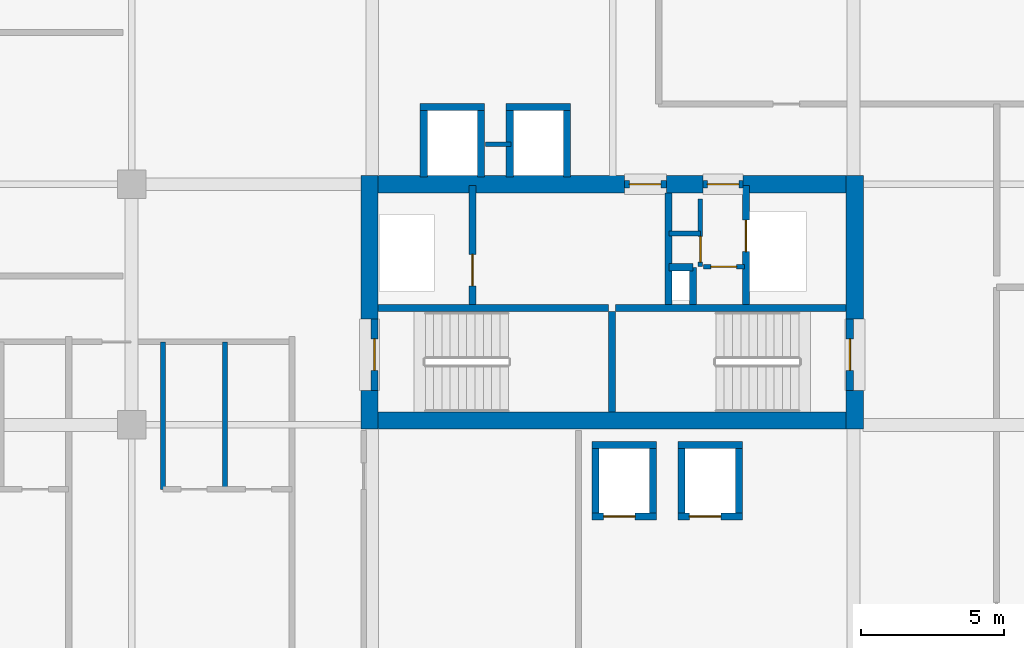
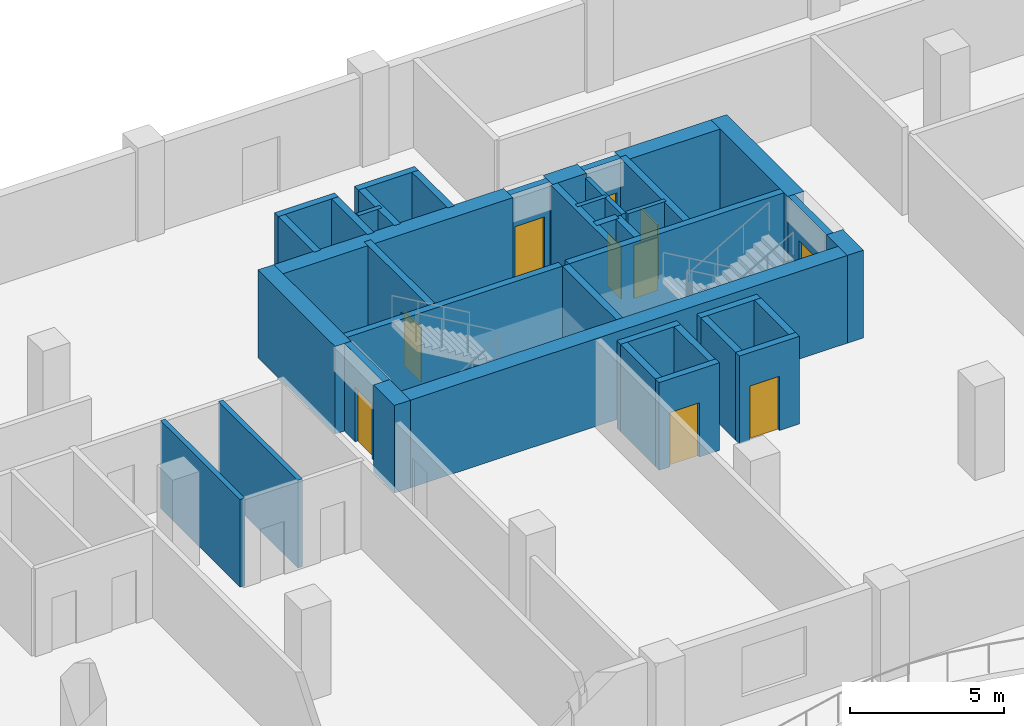
# One storey, part 8 of 18: 40 walls, 10 doors, 10 openings.
"""IFC4 building model written with IfcOpenShell, lengths in metres."""

from ifc_helpers import new_model, si_unit, direction, frame, frame_2d, origin, place, context, subcontext, project, spatial, rectangle, extrude, material, layer, layer_set, type_object, element, fill, save


model = new_model("IFC4")

# Units and contexts
model_context = context("Model", 3, precision=1e-05, world=origin(), true_north=direction((0.0, 1.0)))
body_context = subcontext(model_context, "Body", "Model", "MODEL_VIEW")
ifc_project = project(units=[si_unit("LENGTHUNIT", "METRE"), si_unit("AREAUNIT", "SQUARE_METRE"), si_unit("VOLUMEUNIT", "CUBIC_METRE"), si_unit("PLANEANGLEUNIT", "RADIAN"), si_unit("MASSUNIT", "GRAM", prefix="KILO")], contexts=[model_context])

# Site, building, storey
site_placement = place(None, origin())
site = spatial("IfcSite", under=ifc_project, at=site_placement, CompositionType="ELEMENT")
building_placement = place(site_placement, origin())
building = spatial("IfcBuilding", under=site, at=building_placement, Name="Koriwani Terraces Tower", CompositionType="ELEMENT")
storey_placement = place(building_placement, frame((0.0, 0.0, 205.0)))
storey = spatial("IfcBuildingStorey", under=building, at=storey_placement, Name="L50", CompositionType="ELEMENT", Elevation=205.0)

# Walls
ifc_material_1 = material(Name="Concrete C60/75", Category="concrete")
ifc_layer_1 = layer(ifc_material_1, 0.60009765625, Name="Concrete C60/75")
ifc_layer_set_1 = layer_set([ifc_layer_1], Name="Concrete C60/75")
wall_type_1 = type_object("IfcWallType", Name="WALL_CORE_RC_600", PredefinedType="SHEAR", material=ifc_layer_set_1)
wall_1_placement = place(storey_placement, frame((41.89990234375, 16.64990234375, 0.0), z_axis=(0.0, 0.0, 1.0), x_axis=(0.0, 1.0, 0.0)))
element("IfcWall", 1, at=wall_1_placement, inside=storey, type_object=wall_type_1, Name="L50 East Split Core Shear Wall W1", PredefinedType="SHEAR", context=body_context, shape_type="SweptSolid", body=[
    extrude(rectangle(XDim=1.35009765625, YDim=0.60009765625, at=frame_2d((0.675048828125, 0.0))), origin(), (0.0, 0.0, 1.0), 3.469970703125),
])
wall_2_placement = place(storey_placement, frame((41.89990234375, 20.5, 0.0), z_axis=(0.0, 0.0, 1.0), x_axis=(0.0, 1.0, 0.0)))
element("IfcWall", 2, at=wall_2_placement, inside=storey, type_object=wall_type_1, Name="L50 East Split Core Shear Wall W2", PredefinedType="SHEAR", context=body_context, shape_type="SweptSolid", body=[
    extrude(rectangle(XDim=5.0, YDim=0.60009765625, at=frame_2d((2.5, 0.0))), origin(), (0.0, 0.0, 1.0), 3.469970703125),
])
wall_3_placement = place(storey_placement, frame((58.85009765625, 16.64990234375, 0.0), z_axis=(0.0, 0.0, 1.0), x_axis=(0.0, 1.0, 0.0)))
element("IfcWall", 3, at=wall_3_placement, inside=storey, type_object=wall_type_1, Name="L50 East Split Core Shear Wall E1", PredefinedType="SHEAR", context=body_context, shape_type="SweptSolid", body=[
    extrude(rectangle(XDim=1.35009765625, YDim=0.60009765625, at=frame_2d((0.675048828125, 0.0))), origin(), (0.0, 0.0, 1.0), 3.469970703125),
])
wall_4_placement = place(storey_placement, frame((58.85009765625, 20.5, 0.0), z_axis=(0.0, 0.0, 1.0), x_axis=(0.0, 1.0, 0.0)))
element("IfcWall", 4, at=wall_4_placement, inside=storey, type_object=wall_type_1, Name="L50 East Split Core Shear Wall E2", PredefinedType="SHEAR", context=body_context, shape_type="SweptSolid", body=[
    extrude(rectangle(XDim=5.0, YDim=0.60009765625, at=frame_2d((2.5, 0.0))), origin(), (0.0, 0.0, 1.0), 3.469970703125),
])
wall_5_placement = place(storey_placement, frame((42.199951171875, 16.949951171875, 0.0), z_axis=(0.0, 0.0, 1.0), x_axis=(1.0, 0.0, 0.0)))
element("IfcWall", 5, at=wall_5_placement, inside=storey, type_object=wall_type_1, Name="L50 East Split Core Shear Wall S1", PredefinedType="SHEAR", context=body_context, shape_type="SweptSolid", body=[
    extrude(rectangle(XDim=16.35009765625, YDim=0.60009765625, at=frame_2d((8.175048828125, 0.0))), origin(), (0.0, 0.0, 1.0), 3.469970703125),
])
wall_6_placement = place(storey_placement, frame((42.199951171875, 25.199951171875, 0.0), z_axis=(0.0, 0.0, 1.0), x_axis=(1.0, 0.0, 0.0)))
element("IfcWall", 6, at=wall_6_placement, inside=storey, type_object=wall_type_1, Name="L50 East Split Core Shear Wall N1", PredefinedType="SHEAR", context=body_context, shape_type="SweptSolid", body=[
    extrude(rectangle(XDim=8.60009765625, YDim=0.60009765625, at=frame_2d((4.300048828125, 0.0))), origin(), (0.0, 0.0, 1.0), 3.469970703125),
])
wall_7_placement = place(storey_placement, frame((52.280029296875, 25.199951171875, 0.0), z_axis=(0.0, 0.0, 1.0), x_axis=(1.0, 0.0, 0.0)))
element("IfcWall", 7, at=wall_7_placement, inside=storey, type_object=wall_type_1, Name="L50 East Split Core Shear Wall N2", PredefinedType="SHEAR", context=body_context, shape_type="SweptSolid", body=[
    extrude(rectangle(XDim=1.27001953125, YDim=0.60009765625, at=frame_2d((0.635009765625, 0.0))), origin(), (0.0, 0.0, 1.0), 3.469970703125),
])
wall_8_placement = place(storey_placement, frame((54.949951171875, 25.199951171875, 0.0), z_axis=(0.0, 0.0, 1.0), x_axis=(1.0, 0.0, 0.0)))
element("IfcWall", 8, at=wall_8_placement, inside=storey, type_object=wall_type_1, Name="L50 East Split Core Shear Wall N3", PredefinedType="SHEAR", context=body_context, shape_type="SweptSolid", body=[
    extrude(rectangle(XDim=3.60009765625, YDim=0.60009765625, at=frame_2d((1.800048828125, 0.0))), origin(), (0.0, 0.0, 1.0), 3.469970703125),
])
ifc_material_2 = material(Name="Fire-Rated Acoustic Gypsum Partition", Category="masonry")
ifc_layer_2 = layer(ifc_material_2, 0.179931640625, Name="Fire-Rated Acoustic Gypsum Partition")
ifc_layer_set_2 = layer_set([ifc_layer_2], Name="Fire-Rated Acoustic Gypsum Partition")
wall_type_2 = type_object("IfcWallType", Name="WALL_PLUMBING_180", PredefinedType="PLUMBINGWALL", material=ifc_layer_set_2)
for number, where, z_axis, x_axis, name in (
    (9, (34.699951171875, 14.550048828125, 0.0), (0.0, 0.0, 1.0), (0.0, 1.0, 0.0), "L50 Interior Wall WRSVCS-L50-SW-3"),
    (10, (36.860107421875, 14.550048828125, 0.0), (0.0, 0.0, 1.0), (0.0, 1.0, 0.0), "L50 Interior Wall WRSVCM-L50-SW-3"),
):
    element("IfcWall", number, at=place(storey_placement, frame(where, z_axis=z_axis, x_axis=x_axis)), inside=storey, type_object=wall_type_2, Name=name, PredefinedType="PLUMBINGWALL", context=body_context, shape_type="SweptSolid", body=[
        extrude(rectangle(XDim=5.14990234375, YDim=0.179931640625, at=frame_2d((2.574951171875, 0.0))), origin(), (0.0, 0.0, 1.0), 3.469970703125),
    ])
ifc_material_3 = material(Name="Concrete C40/50", Category="concrete")
ifc_layer_3 = layer(ifc_material_3, 0.25, Name="Concrete C40/50")
ifc_layer_set_3 = layer_set([ifc_layer_3], Name="Concrete C40/50")
wall_type_3 = type_object("IfcWallType", Name="WALL_SHAFT_RATED_250", PredefinedType="SOLIDWALL", material=ifc_layer_set_3)
for number, where, z_axis, x_axis, name in (
    (11, (42.199951171875, 20.875, 0.0), (0.0, 0.0, 1.0), (1.0, 0.0, 0.0), "L50 East Split Core Web Wall MID1"),
    (12, (50.5, 20.875, 0.0), (0.0, 0.0, 1.0), (1.0, 0.0, 0.0), "L50 East Split Core Web Wall MID2"),
):
    element("IfcWall", number, at=place(storey_placement, frame(where, z_axis=z_axis, x_axis=x_axis)), inside=storey, type_object=wall_type_3, Name=name, PredefinedType="SOLIDWALL", context=body_context, shape_type="SweptSolid", body=[
        extrude(rectangle(XDim=8.050048828125, YDim=0.25, at=frame_2d((4.02490234375, 0.0))), origin(), (0.0, 0.0, 1.0), 3.469970703125),
    ])
wall_9_placement = place(storey_placement, frame((50.375, 17.25, 0.0), z_axis=(0.0, 0.0, 1.0), x_axis=(0.0, 1.0, 0.0)))
element("IfcWall", 13, at=wall_9_placement, inside=storey, type_object=wall_type_3, Name="L50 East Split Core Stair Dividing Wall", PredefinedType="SOLIDWALL", context=body_context, shape_type="SweptSolid", body=[
    extrude(rectangle(XDim=3.5, YDim=0.25, at=frame_2d((1.75, 0.0))), origin(), (0.0, 0.0, 1.0), 3.469970703125),
])

# Wall, opening, door
wall_10_placement = place(storey_placement, frame((42.074951171875, 18.0, 0.0), z_axis=(0.0, 0.0, 1.0), x_axis=(0.0, 1.0, 0.0)))
wall_10 = element("IfcWall", 14, at=wall_10_placement, inside=storey, type_object=wall_type_3, Name="L50 Interior Wall WIN-CE-L50-STW", PredefinedType="SOLIDWALL", context=body_context, shape_type="SweptSolid", body=[
    extrude(rectangle(XDim=2.5, YDim=0.25, at=frame_2d((1.25, 0.0))), origin(), (0.0, 0.0, 1.0), 3.469970703125),
])
opening_1_placement = place(wall_10_placement, frame((0.699951171875, 0.0, 0.0)))
opening_1 = element("IfcOpeningElement", 15, at=opening_1_placement, cuts=wall_10, Name="Opening D-03", PredefinedType="OPENING", context=body_context, shape_type="SweptSolid", body=[
    extrude(rectangle(XDim=1.10009765625, YDim=2.14990234375, at=frame_2d((0.550048828125, 1.074951171875))), frame((0.0, 0.135009765625, 0.0), z_axis=(0.0, -1.0, 0.0), x_axis=(1.0, 0.0, 0.0)), (0.0, 0.0, 1.0), 0.27001953125),
])
ifc_material_4 = material(Name="Steel ASTM A572 Grade 50", Category="steel")
door_type_1 = type_object("IfcDoorType", Name="DOOR_STAIR_FIRE_1100X2150", OperationType="NOTDEFINED", PredefinedType="DOOR", material=ifc_material_4)
door_1_placement = place(opening_1_placement, origin())
door_1 = element("IfcDoor", 16, at=door_1_placement, inside=storey, type_object=door_type_1, Name="L50 Exit Stair ST-E1 Door", OperationType="SINGLE_SWING_LEFT", OverallHeight=2.14990234375, OverallWidth=1.10009765625, PredefinedType="DOOR", context=body_context, shape_type="SweptSolid", body=[
    extrude(rectangle(XDim=1.10009765625, YDim=2.14990234375, at=frame_2d((0.550048828125, 1.074951171875))), frame((0.0, 0.02490234375, 0.0), z_axis=(0.0, -1.0, 0.0), x_axis=(1.0, 0.0, 0.0)), (0.0, 0.0, 1.0), 0.050048828125),
])
fill(opening_1, door_1)

wall_11_placement = place(storey_placement, frame((58.675048828125, 18.0, 0.0), z_axis=(0.0, 0.0, 1.0), x_axis=(0.0, 1.0, 0.0)))
wall_11 = element("IfcWall", 17, at=wall_11_placement, inside=storey, type_object=wall_type_3, Name="L50 Interior Wall WIN-CE-L50-STE", PredefinedType="SOLIDWALL", context=body_context, shape_type="SweptSolid", body=[
    extrude(rectangle(XDim=2.5, YDim=0.25, at=frame_2d((1.25, 0.0))), origin(), (0.0, 0.0, 1.0), 3.469970703125),
])
opening_2_placement = place(wall_11_placement, frame((0.699951171875, 0.0, 0.0)))
opening_2 = element("IfcOpeningElement", 18, at=opening_2_placement, cuts=wall_11, Name="Opening D-03", PredefinedType="OPENING", context=body_context, shape_type="SweptSolid", body=[
    extrude(rectangle(XDim=1.10009765625, YDim=2.14990234375, at=frame_2d((0.550048828125, 1.074951171875))), frame((0.0, 0.135009765625, 0.0), z_axis=(0.0, -1.0, 0.0), x_axis=(1.0, 0.0, 0.0)), (0.0, 0.0, 1.0), 0.27001953125),
])
door_2_placement = place(opening_2_placement, origin())
door_2 = element("IfcDoor", 19, at=door_2_placement, inside=storey, type_object=door_type_1, Name="L50 Exit Stair ST-E2 Door", OperationType="SINGLE_SWING_RIGHT", OverallHeight=2.14990234375, OverallWidth=1.10009765625, PredefinedType="DOOR", context=body_context, shape_type="SweptSolid", body=[
    extrude(rectangle(XDim=1.10009765625, YDim=2.14990234375, at=frame_2d((0.550048828125, 1.074951171875))), frame((0.0, 0.02490234375, 0.0), z_axis=(0.0, -1.0, 0.0), x_axis=(1.0, 0.0, 0.0)), (0.0, 0.0, 1.0), 0.050048828125),
])
fill(opening_2, door_2)

wall_12_placement = place(storey_placement, frame((45.5, 21.0, 0.0), z_axis=(0.0, 0.0, 1.0), x_axis=(0.0, 1.0, 0.0)))
wall_12 = element("IfcWall", 20, at=wall_12_placement, inside=storey, type_object=wall_type_3, Name="L50 Interior Wall WIN-CE-L50-FE", PredefinedType="SOLIDWALL", context=body_context, shape_type="SweptSolid", body=[
    extrude(rectangle(XDim=4.14990234375, YDim=0.25, at=frame_2d((2.074951171875, 0.0))), origin(), (0.0, 0.0, 1.0), 3.469970703125),
])
opening_3_placement = place(wall_12_placement, frame((0.64990234375, 0.0, 0.0)))
opening_3 = element("IfcOpeningElement", 21, at=opening_3_placement, cuts=wall_12, Name="Opening LD-01", PredefinedType="OPENING", context=body_context, shape_type="SweptSolid", body=[
    extrude(rectangle(XDim=1.10009765625, YDim=2.14990234375, at=frame_2d((0.550048828125, 1.074951171875))), frame((0.0, 0.135009765625, 0.0), z_axis=(0.0, -1.0, 0.0), x_axis=(1.0, 0.0, 0.0)), (0.0, 0.0, 1.0), 0.27001953125),
])
door_type_2 = type_object("IfcDoorType", Name="DOOR_LIFT_LANDING_1100X2200", OperationType="NOTDEFINED", PredefinedType="DOOR", material=ifc_material_4)
door_3_placement = place(opening_3_placement, origin())
door_3 = element("IfcDoor", 22, at=door_3_placement, inside=storey, type_object=door_type_2, Name="L50 Firefighting Lift FE-02 Landing Door", OperationType="SLIDING_TO_LEFT", OverallHeight=2.14990234375, OverallWidth=1.10009765625, PredefinedType="DOOR", context=body_context, shape_type="SweptSolid", body=[
    extrude(rectangle(XDim=1.10009765625, YDim=2.14990234375, at=frame_2d((0.550048828125, 1.074951171875))), frame((0.0, 0.02490234375, 0.0), z_axis=(0.0, -1.0, 0.0), x_axis=(1.0, 0.0, 0.0)), (0.0, 0.0, 1.0), 0.050048828125),
])
fill(opening_3, door_3)

wall_13_placement = place(storey_placement, frame((50.800048828125, 25.199951171875, 0.0), z_axis=(0.0, 0.0, 1.0), x_axis=(1.0, 0.0, 0.0)))
wall_13 = element("IfcWall", 23, at=wall_13_placement, inside=storey, type_object=wall_type_3, Name="L50 Interior Wall WIN-CE-L50-NP", PredefinedType="SOLIDWALL", context=body_context, shape_type="SweptSolid", body=[
    extrude(rectangle(XDim=1.47998046875, YDim=0.25, at=frame_2d((0.739990234375, 0.0))), origin(), (0.0, 0.0, 1.0), 3.469970703125),
])
opening_4_placement = place(wall_13_placement, frame((0.179931640625, 0.0, 0.0)))
opening_4 = element("IfcOpeningElement", 24, at=opening_4_placement, cuts=wall_13, Name="Opening D-03", PredefinedType="OPENING", context=body_context, shape_type="SweptSolid", body=[
    extrude(rectangle(XDim=1.10009765625, YDim=2.14990234375, at=frame_2d((0.550048828125, 1.074951171875))), frame((0.0, 0.135009765625, 0.0), z_axis=(0.0, -1.0, 0.0), x_axis=(1.0, 0.0, 0.0)), (0.0, 0.0, 1.0), 0.27001953125),
])
door_4_placement = place(opening_4_placement, origin())
door_4 = element("IfcDoor", 25, at=door_4_placement, inside=storey, type_object=door_type_1, Name="L50 East Firefighting Lobby Door", OperationType="SINGLE_SWING_LEFT", OverallHeight=2.14990234375, OverallWidth=1.10009765625, PredefinedType="DOOR", context=body_context, shape_type="SweptSolid", body=[
    extrude(rectangle(XDim=1.10009765625, YDim=2.14990234375, at=frame_2d((0.550048828125, 1.074951171875))), frame((0.0, 0.02490234375, 0.0), z_axis=(0.0, -1.0, 0.0), x_axis=(1.0, 0.0, 0.0)), (0.0, 0.0, 1.0), 0.050048828125),
])
fill(opening_4, door_4)

# Wall
wall_14_placement = place(storey_placement, frame((52.340087890625, 21.0, 0.0), z_axis=(0.0, 0.0, 1.0), x_axis=(0.0, 1.0, 0.0)))
element("IfcWall", 26, at=wall_14_placement, inside=storey, type_object=wall_type_3, Name="L50 Interior Wall WIN-CE-L50-FFE", PredefinedType="SOLIDWALL", context=body_context, shape_type="SweptSolid", body=[
    extrude(rectangle(XDim=3.89990234375, YDim=0.25, at=frame_2d((1.949951171875, 0.0))), origin(), (0.0, 0.0, 1.0), 3.469970703125),
])

# Wall, opening, door
wall_15_placement = place(storey_placement, frame((55.050048828125, 21.0, 0.0), z_axis=(0.0, 0.0, 1.0), x_axis=(0.0, 1.0, 0.0)))
wall_15 = element("IfcWall", 27, at=wall_15_placement, inside=storey, type_object=wall_type_3, Name="L50 Interior Wall WIN-CE-L50-SE", PredefinedType="SOLIDWALL", context=body_context, shape_type="SweptSolid", body=[
    extrude(rectangle(XDim=4.14990234375, YDim=0.25, at=frame_2d((2.074951171875, 0.0))), origin(), (0.0, 0.0, 1.0), 3.469970703125),
])
opening_5_placement = place(wall_15_placement, frame((1.85009765625, 0.0, 0.0)))
opening_5 = element("IfcOpeningElement", 28, at=opening_5_placement, cuts=wall_15, Name="Opening LD-01", PredefinedType="OPENING", context=body_context, shape_type="SweptSolid", body=[
    extrude(rectangle(XDim=1.10009765625, YDim=2.14990234375, at=frame_2d((0.550048828125, 1.074951171875))), frame((0.0, 0.135009765625, 0.0), z_axis=(0.0, -1.0, 0.0), x_axis=(1.0, 0.0, 0.0)), (0.0, 0.0, 1.0), 0.27001953125),
])
door_5_placement = place(opening_5_placement, origin())
door_5 = element("IfcDoor", 29, at=door_5_placement, inside=storey, type_object=door_type_2, Name="L50 Goods Lift SE-02 Landing Door", OperationType="SLIDING_TO_LEFT", OverallHeight=2.14990234375, OverallWidth=1.10009765625, PredefinedType="DOOR", context=body_context, shape_type="SweptSolid", body=[
    extrude(rectangle(XDim=1.10009765625, YDim=2.14990234375, at=frame_2d((0.550048828125, 1.074951171875))), frame((0.0, 0.02490234375, 0.0), z_axis=(0.0, -1.0, 0.0), x_axis=(1.0, 0.0, 0.0)), (0.0, 0.0, 1.0), 0.050048828125),
])
fill(opening_5, door_5)

wall_16_placement = place(storey_placement, frame((53.550048828125, 25.199951171875, 0.0), z_axis=(0.0, 0.0, 1.0), x_axis=(1.0, 0.0, 0.0)))
wall_16 = element("IfcWall", 30, at=wall_16_placement, inside=storey, type_object=wall_type_3, Name="L50 Interior Wall WIN-CE-L50-NP2", PredefinedType="SOLIDWALL", context=body_context, shape_type="SweptSolid", body=[
    extrude(rectangle(XDim=1.39990234375, YDim=0.25, at=frame_2d((0.699951171875, 0.0))), origin(), (0.0, 0.0, 1.0), 3.469970703125),
])
opening_6_placement = place(wall_16_placement, frame((0.14990234375, 0.0, 0.0)))
opening_6 = element("IfcOpeningElement", 31, at=opening_6_placement, cuts=wall_16, Name="Opening D-03", PredefinedType="OPENING", context=body_context, shape_type="SweptSolid", body=[
    extrude(rectangle(XDim=1.10009765625, YDim=2.14990234375, at=frame_2d((0.550048828125, 1.074951171875))), frame((0.0, 0.135009765625, 0.0), z_axis=(0.0, -1.0, 0.0), x_axis=(1.0, 0.0, 0.0)), (0.0, 0.0, 1.0), 0.27001953125),
])
door_6_placement = place(opening_6_placement, origin())
door_6 = element("IfcDoor", 32, at=door_6_placement, inside=storey, type_object=door_type_1, Name="L50 East Goods Lift Lobby Door", OperationType="SINGLE_SWING_RIGHT", OverallHeight=2.14990234375, OverallWidth=1.10009765625, PredefinedType="DOOR", context=body_context, shape_type="SweptSolid", body=[
    extrude(rectangle(XDim=1.10009765625, YDim=2.14990234375, at=frame_2d((0.550048828125, 1.074951171875))), frame((0.0, 0.02490234375, 0.0), z_axis=(0.0, -1.0, 0.0), x_axis=(1.0, 0.0, 0.0)), (0.0, 0.0, 1.0), 0.050048828125),
])
fill(opening_6, door_6)

# Walls
wall_17_placement = place(storey_placement, frame((53.199951171875, 21.0, 0.0), z_axis=(0.0, 0.0, 1.0), x_axis=(0.0, 1.0, 0.0)))
element("IfcWall", 33, at=wall_17_placement, inside=storey, type_object=wall_type_3, Name="L50 Interior Wall WIN-CE-L50-RS1", PredefinedType="SOLIDWALL", context=body_context, shape_type="SweptSolid", body=[
    extrude(rectangle(XDim=1.300048828125, YDim=0.25, at=frame_2d((0.64990234375, 0.0))), origin(), (0.0, 0.0, 1.0), 3.469970703125),
])
wall_18_placement = place(storey_placement, frame((52.360107421875, 22.300048828125, 0.0), z_axis=(0.0, 0.0, 1.0), x_axis=(1.0, 0.0, 0.0)))
element("IfcWall", 34, at=wall_18_placement, inside=storey, type_object=wall_type_3, Name="L50 Interior Wall WIN-CE-L50-RS2", PredefinedType="SOLIDWALL", context=body_context, shape_type="SweptSolid", body=[
    extrude(rectangle(XDim=0.83984375, YDim=0.25, at=frame_2d((0.419921875, 0.0))), origin(), (0.0, 0.0, 1.0), 3.469970703125),
])

# Wall, opening, door
wall_19_placement = place(storey_placement, frame((49.675048828125, 13.60009765625, 0.0), z_axis=(0.0, 0.0, 1.0), x_axis=(1.0, 0.0, 0.0)))
wall_19 = element("IfcWall", 35, at=wall_19_placement, inside=storey, type_object=wall_type_3, Name="L50 Interior Wall WIN-LF-PE-M3-L50-F", PredefinedType="SOLIDWALL", context=body_context, shape_type="SweptSolid", body=[
    extrude(rectangle(XDim=2.25, YDim=0.25, at=frame_2d((1.125, 0.0))), origin(), (0.0, 0.0, 1.0), 3.469970703125),
])
opening_7_placement = place(wall_19_placement, frame((0.39990234375, 0.0, 0.0)))
opening_7 = element("IfcOpeningElement", 36, at=opening_7_placement, cuts=wall_19, Name="Opening LD-01", PredefinedType="OPENING", context=body_context, shape_type="SweptSolid", body=[
    extrude(rectangle(XDim=1.10009765625, YDim=2.14990234375, at=frame_2d((0.550048828125, 1.074951171875))), frame((0.0, 0.135009765625, 0.0), z_axis=(0.0, -1.0, 0.0), x_axis=(1.0, 0.0, 0.0)), (0.0, 0.0, 1.0), 0.27001953125),
])
door_7_placement = place(opening_7_placement, origin())
door_7 = element("IfcDoor", 37, at=door_7_placement, inside=storey, type_object=door_type_2, Name="L50 Passenger Lift PE-M3 Landing Door", OperationType="SLIDING_TO_LEFT", OverallHeight=2.14990234375, OverallWidth=1.10009765625, PredefinedType="DOOR", context=body_context, shape_type="SweptSolid", body=[
    extrude(rectangle(XDim=1.10009765625, YDim=2.14990234375, at=frame_2d((0.550048828125, 1.074951171875))), frame((0.0, 0.02490234375, 0.0), z_axis=(0.0, -1.0, 0.0), x_axis=(1.0, 0.0, 0.0)), (0.0, 0.0, 1.0), 0.050048828125),
])
fill(opening_7, door_7)

# Walls
for number, where, z_axis, x_axis, name in (
    (38, (49.675048828125, 16.10009765625, 0.0), (0.0, 0.0, 1.0), (1.0, 0.0, 0.0), "L50 Interior Wall WIN-LF-PE-M3-L50-B"),
    (39, (49.800048828125, 13.72509765625, 0.0), (0.0, 0.0, 1.0), (0.0, 1.0, 0.0), "L50 Interior Wall WIN-LF-PE-M3-L50-W"),
    (40, (51.800048828125, 13.72509765625, 0.0), (0.0, 0.0, 1.0), (0.0, 1.0, 0.0), "L50 Interior Wall WIN-LF-PE-M3-L50-E"),
):
    element("IfcWall", number, at=place(storey_placement, frame(where, z_axis=z_axis, x_axis=x_axis)), inside=storey, type_object=wall_type_3, Name=name, PredefinedType="SOLIDWALL", context=body_context, shape_type="SweptSolid", body=[
        extrude(rectangle(XDim=2.25, YDim=0.25, at=frame_2d((1.125, 0.0))), origin(), (0.0, 0.0, 1.0), 3.469970703125),
    ])

# Wall, opening, door
wall_20_placement = place(storey_placement, frame((52.675048828125, 13.60009765625, 0.0), z_axis=(0.0, 0.0, 1.0), x_axis=(1.0, 0.0, 0.0)))
wall_20 = element("IfcWall", 41, at=wall_20_placement, inside=storey, type_object=wall_type_3, Name="L50 Interior Wall WIN-LF-PE-M4-L50-F", PredefinedType="SOLIDWALL", context=body_context, shape_type="SweptSolid", body=[
    extrude(rectangle(XDim=2.25, YDim=0.25, at=frame_2d((1.125, 0.0))), origin(), (0.0, 0.0, 1.0), 3.469970703125),
])
opening_8_placement = place(wall_20_placement, frame((0.39990234375, 0.0, 0.0)))
opening_8 = element("IfcOpeningElement", 42, at=opening_8_placement, cuts=wall_20, Name="Opening LD-01", PredefinedType="OPENING", context=body_context, shape_type="SweptSolid", body=[
    extrude(rectangle(XDim=1.10009765625, YDim=2.14990234375, at=frame_2d((0.550048828125, 1.074951171875))), frame((0.0, 0.135009765625, 0.0), z_axis=(0.0, -1.0, 0.0), x_axis=(1.0, 0.0, 0.0)), (0.0, 0.0, 1.0), 0.27001953125),
])
door_8_placement = place(opening_8_placement, origin())
door_8 = element("IfcDoor", 43, at=door_8_placement, inside=storey, type_object=door_type_2, Name="L50 Passenger Lift PE-M4 Landing Door", OperationType="SLIDING_TO_LEFT", OverallHeight=2.14990234375, OverallWidth=1.10009765625, PredefinedType="DOOR", context=body_context, shape_type="SweptSolid", body=[
    extrude(rectangle(XDim=1.10009765625, YDim=2.14990234375, at=frame_2d((0.550048828125, 1.074951171875))), frame((0.0, 0.02490234375, 0.0), z_axis=(0.0, -1.0, 0.0), x_axis=(1.0, 0.0, 0.0)), (0.0, 0.0, 1.0), 0.050048828125),
])
fill(opening_8, door_8)

# Walls
for number, where, z_axis, x_axis, name in (
    (44, (52.675048828125, 16.10009765625, 0.0), (0.0, 0.0, 1.0), (1.0, 0.0, 0.0), "L50 Interior Wall WIN-LF-PE-M4-L50-B"),
    (45, (52.800048828125, 13.72509765625, 0.0), (0.0, 0.0, 1.0), (0.0, 1.0, 0.0), "L50 Interior Wall WIN-LF-PE-M4-L50-W"),
    (46, (54.800048828125, 13.72509765625, 0.0), (0.0, 0.0, 1.0), (0.0, 1.0, 0.0), "L50 Interior Wall WIN-LF-PE-M4-L50-E"),
    (47, (43.675048828125, 27.89990234375, 0.0), (0.0, 0.0, 1.0), (1.0, 0.0, 0.0), "L50 Interior Wall WIN-LF-PE-H3-L50-F"),
):
    element("IfcWall", number, at=place(storey_placement, frame(where, z_axis=z_axis, x_axis=x_axis)), inside=storey, type_object=wall_type_3, Name=name, PredefinedType="SOLIDWALL", context=body_context, shape_type="SweptSolid", body=[
        extrude(rectangle(XDim=2.25, YDim=0.25, at=frame_2d((1.125, 0.0))), origin(), (0.0, 0.0, 1.0), 3.469970703125),
    ])
for number, where, z_axis, x_axis, name in (
    (48, (43.800048828125, 25.449951171875, 0.0), (0.0, 0.0, 1.0), (0.0, 1.0, 0.0), "L50 Interior Wall WIN-LF-PE-H3-L50-W"),
    (49, (45.800048828125, 25.449951171875, 0.0), (0.0, 0.0, 1.0), (0.0, 1.0, 0.0), "L50 Interior Wall WIN-LF-PE-H3-L50-E"),
):
    element("IfcWall", number, at=place(storey_placement, frame(where, z_axis=z_axis, x_axis=x_axis)), inside=storey, type_object=wall_type_3, Name=name, PredefinedType="SOLIDWALL", context=body_context, shape_type="SweptSolid", body=[
        extrude(rectangle(XDim=2.324951171875, YDim=0.25, at=frame_2d((1.16259765625, 0.0))), origin(), (0.0, 0.0, 1.0), 3.469970703125),
    ])
wall_21_placement = place(storey_placement, frame((46.675048828125, 27.89990234375, 0.0), z_axis=(0.0, 0.0, 1.0), x_axis=(1.0, 0.0, 0.0)))
element("IfcWall", 50, at=wall_21_placement, inside=storey, type_object=wall_type_3, Name="L50 Interior Wall WIN-LF-PE-H4-L50-F", PredefinedType="SOLIDWALL", context=body_context, shape_type="SweptSolid", body=[
    extrude(rectangle(XDim=2.25, YDim=0.25, at=frame_2d((1.125, 0.0))), origin(), (0.0, 0.0, 1.0), 3.469970703125),
])
for number, where, z_axis, x_axis, name in (
    (51, (46.800048828125, 25.449951171875, 0.0), (0.0, 0.0, 1.0), (0.0, 1.0, 0.0), "L50 Interior Wall WIN-LF-PE-H4-L50-W"),
    (52, (48.800048828125, 25.449951171875, 0.0), (0.0, 0.0, 1.0), (0.0, 1.0, 0.0), "L50 Interior Wall WIN-LF-PE-H4-L50-E"),
):
    element("IfcWall", number, at=place(storey_placement, frame(where, z_axis=z_axis, x_axis=x_axis)), inside=storey, type_object=wall_type_3, Name=name, PredefinedType="SOLIDWALL", context=body_context, shape_type="SweptSolid", body=[
        extrude(rectangle(XDim=2.324951171875, YDim=0.25, at=frame_2d((1.16259765625, 0.0))), origin(), (0.0, 0.0, 1.0), 3.469970703125),
    ])

# Wall, opening, door
ifc_layer_4 = layer(ifc_material_2, 0.159912109375, Name="Fire-Rated Acoustic Gypsum Partition")
ifc_layer_set_4 = layer_set([ifc_layer_4], Name="Fire-Rated Acoustic Gypsum Partition")
wall_type_4 = type_object("IfcWallType", Name="WALL_SUITE_160", PredefinedType="PARTITIONING", material=ifc_layer_set_4)
wall_22_placement = place(storey_placement, frame((53.56005859375, 22.320068359375, 0.0), z_axis=(0.0, 0.0, 1.0), x_axis=(1.0, 0.0, 0.0)))
wall_22 = element("IfcWall", 53, at=wall_22_placement, inside=storey, type_object=wall_type_4, Name="L50 Interior Wall WIN-CE-L50-SV2A", PredefinedType="PARTITIONING", context=body_context, shape_type="SweptSolid", body=[
    extrude(rectangle(XDim=1.43994140625, YDim=0.159912109375, at=frame_2d((0.719970703125, 0.0))), origin(), (0.0, 0.0, 1.0), 3.469970703125),
])
opening_9_placement = place(wall_22_placement, frame((0.260009765625, 0.0, 0.0)))
opening_9 = element("IfcOpeningElement", 54, at=opening_9_placement, cuts=wall_22, Name="Opening D-07", PredefinedType="OPENING", context=body_context, shape_type="SweptSolid", body=[
    extrude(rectangle(XDim=0.89990234375, YDim=2.10009765625, at=frame_2d((0.449951171875, 1.050048828125))), frame((0.0, 0.08984375, 0.0), z_axis=(0.0, -1.0, 0.0), x_axis=(1.0, 0.0, 0.0)), (0.0, 0.0, 1.0), 0.179931640625),
])
ifc_material_5 = material(Name="Architectural Oak Fire Door", Category="wood")
door_type_3 = type_object("IfcDoorType", Name="DOOR_BATH_INT_900X2100", OperationType="NOTDEFINED", PredefinedType="DOOR", material=ifc_material_5)
door_9_placement = place(opening_9_placement, origin())
door_9 = element("IfcDoor", 55, at=door_9_placement, inside=storey, type_object=door_type_3, Name="L50 East Meter Room Door", OperationType="SINGLE_SWING_LEFT", OverallHeight=2.10009765625, OverallWidth=0.89990234375, PredefinedType="DOOR", context=body_context, shape_type="SweptSolid", body=[
    extrude(rectangle(XDim=0.89990234375, YDim=2.10009765625, at=frame_2d((0.449951171875, 1.050048828125))), frame((0.0, 0.02490234375, 0.0), z_axis=(0.0, -1.0, 0.0), x_axis=(1.0, 0.0, 0.0)), (0.0, 0.0, 1.0), 0.050048828125),
])
fill(opening_9, door_9)

wall_23_placement = place(storey_placement, frame((53.4599609375, 22.320068359375, 0.0), z_axis=(0.0, 0.0, 1.0), x_axis=(0.0, 1.0, 0.0)))
wall_23 = element("IfcWall", 56, at=wall_23_placement, inside=storey, type_object=wall_type_4, Name="L50 Interior Wall WIN-CE-L50-SV2H", PredefinedType="PARTITIONING", context=body_context, shape_type="SweptSolid", body=[
    extrude(rectangle(XDim=2.35986328125, YDim=0.159912109375, at=frame_2d((1.179931640625, 0.0))), origin(), (0.0, 0.0, 1.0), 3.469970703125),
])
opening_10_placement = place(wall_23_placement, frame((0.159912109375, 0.0, 0.0)))
opening_10 = element("IfcOpeningElement", 57, at=opening_10_placement, cuts=wall_23, Name="Opening D-07", PredefinedType="OPENING", context=body_context, shape_type="SweptSolid", body=[
    extrude(rectangle(XDim=0.89990234375, YDim=2.10009765625, at=frame_2d((0.449951171875, 1.050048828125))), frame((0.0, 0.08984375, 0.0), z_axis=(0.0, -1.0, 0.0), x_axis=(1.0, 0.0, 0.0)), (0.0, 0.0, 1.0), 0.179931640625),
])
door_10_placement = place(opening_10_placement, origin())
door_10 = element("IfcDoor", 58, at=door_10_placement, inside=storey, type_object=door_type_3, Name="L50 East Valve Room Door", OperationType="SINGLE_SWING_RIGHT", OverallHeight=2.10009765625, OverallWidth=0.89990234375, PredefinedType="DOOR", context=body_context, shape_type="SweptSolid", body=[
    extrude(rectangle(XDim=0.89990234375, YDim=2.10009765625, at=frame_2d((0.449951171875, 1.050048828125))), frame((0.0, 0.02490234375, 0.0), z_axis=(0.0, -1.0, 0.0), x_axis=(1.0, 0.0, 0.0)), (0.0, 0.0, 1.0), 0.050048828125),
])
fill(opening_10, door_10)

# Walls
wall_24_placement = place(storey_placement, frame((52.360107421875, 23.47998046875, 0.0), z_axis=(0.0, 0.0, 1.0), x_axis=(1.0, 0.0, 0.0)))
element("IfcWall", 59, at=wall_24_placement, inside=storey, type_object=wall_type_4, Name="L50 Interior Wall WIN-CE-L50-SV2V", PredefinedType="PARTITIONING", context=body_context, shape_type="SweptSolid", body=[
    extrude(rectangle(XDim=1.099853515625, YDim=0.159912109375, at=frame_2d((0.5498046875, 0.0))), origin(), (0.0, 0.0, 1.0), 3.469970703125),
])
wall_25_placement = place(storey_placement, frame((45.9599609375, 26.60009765625, 0.0), z_axis=(0.0, 0.0, 1.0), x_axis=(1.0, 0.0, 0.0)))
element("IfcWall", 60, at=wall_25_placement, inside=storey, type_object=wall_type_4, Name="L50 Interior Wall WIN-LF-PEH34-MID-L50", PredefinedType="PARTITIONING", context=body_context, shape_type="SweptSolid", body=[
    extrude(rectangle(XDim=0.880126953125, YDim=0.159912109375, at=frame_2d((0.43994140625, 0.0))), origin(), (0.0, 0.0, 1.0), 3.469970703125),
])

save(model, "model.ifc")
